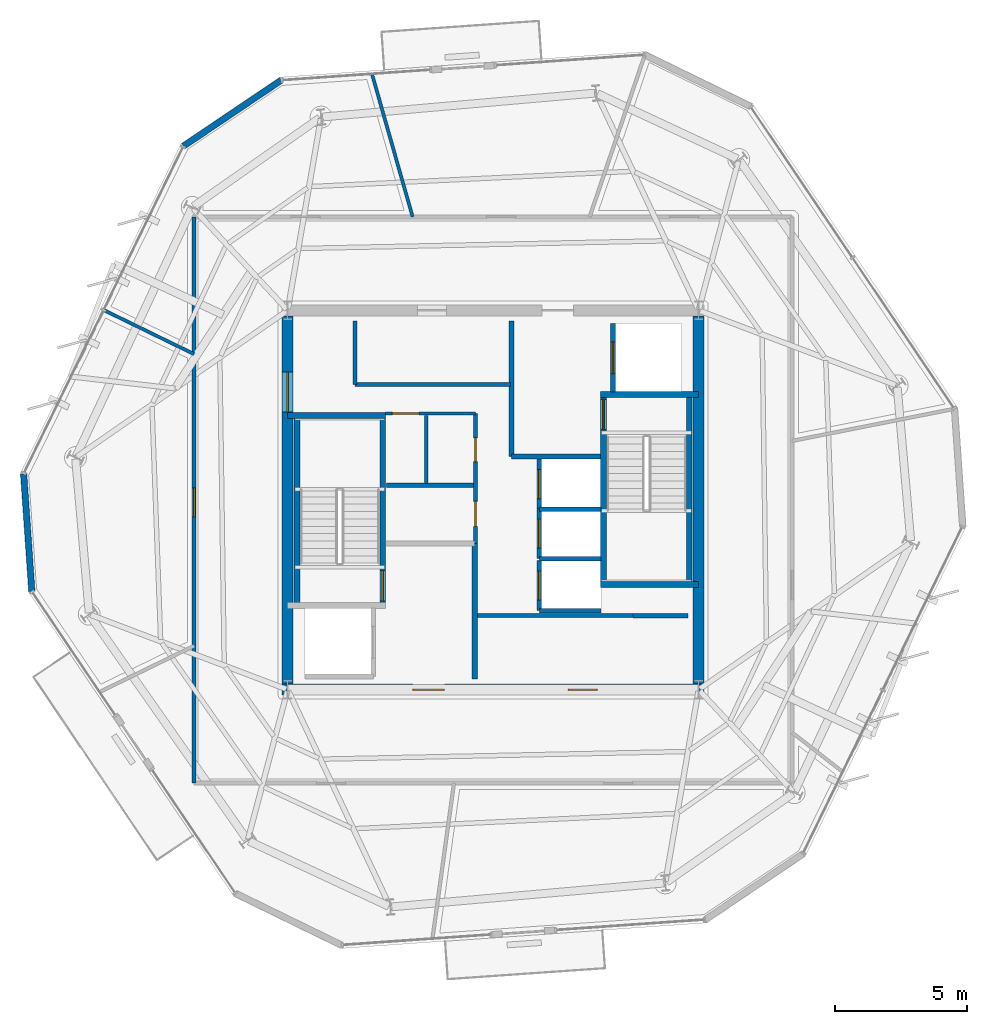
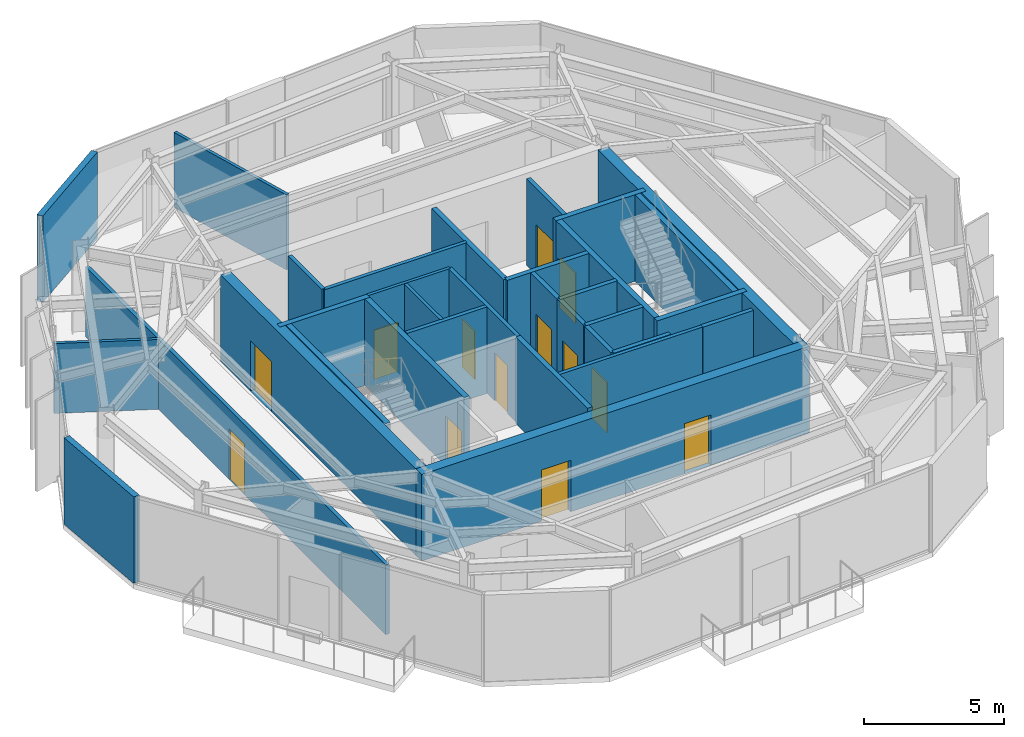
# One storey, part 7 of 13: 33 walls, 13 doors, 13 openings.
"""IFC4 building model written with IfcOpenShell, lengths in metres."""

from ifc_helpers import new_model, si_unit, direction, frame, frame_2d, origin, place, context, subcontext, project, spatial, rectangle, extrude, material, layer, layer_set, type_object, element, fill, save


model = new_model("IFC4")

# Units and contexts
model_context = context("Model", 3, precision=1e-05, world=origin(), true_north=direction((0.0, 1.0)))
body_context = subcontext(model_context, "Body", "Model", "MODEL_VIEW")
ifc_project = project(units=[si_unit("LENGTHUNIT", "METRE"), si_unit("AREAUNIT", "SQUARE_METRE"), si_unit("VOLUMEUNIT", "CUBIC_METRE"), si_unit("PLANEANGLEUNIT", "RADIAN"), si_unit("MASSUNIT", "GRAM", prefix="KILO")], contexts=[model_context])

# Site, building, storey
site_placement = place(None, origin())
site = spatial("IfcSite", under=ifc_project, at=site_placement, CompositionType="ELEMENT")
building_placement = place(site_placement, origin())
building = spatial("IfcBuilding", under=site, at=building_placement, Name="Kranzbogen Civic Tower", CompositionType="ELEMENT")
storey_placement = place(building_placement, frame((0.0, 0.0, 282.199951171875)))
storey = spatial("IfcBuildingStorey", under=building, at=storey_placement, Name="L68", CompositionType="ELEMENT", Elevation=282.199951171875)

# Walls
ifc_material_1 = material(Name="Double-Stud Acoustic Gypsum Partition")
ifc_layer_1 = layer(ifc_material_1, 0.14990234375, Name="Double-Stud Acoustic Gypsum Partition")
ifc_layer_set_1 = layer_set([ifc_layer_1], Name="Double-Stud Acoustic Gypsum Partition")
wall_type_1 = type_object("IfcWallType", Name="Acoustic Corridor and Clinical Partition 150 mm", PredefinedType="PARTITIONING", material=ifc_layer_set_1)
wall_1_placement = place(storey_placement, frame((24.39990234375, 20.610107421875, 0.0), z_axis=(0.0, 0.0, 1.0), x_axis=(1.0, 0.0, 0.0)))
element("IfcWall", 1, at=wall_1_placement, inside=storey, type_object=wall_type_1, Name="L68 records zone North wall", PredefinedType="PARTITIONING", context=body_context, shape_type="SweptSolid", body=[
    extrude(rectangle(XDim=5.900146484375, YDim=0.14990234375, at=frame_2d((2.9501953125, 0.0))), origin(), (0.0, 0.0, 1.0), 3.780029296875),
])
wall_2_placement = place(storey_placement, frame((19.75, 29.389892578125, 0.0), z_axis=(0.0, 0.0, 1.0), x_axis=(1.0, 0.0, 0.0)))
element("IfcWall", 2, at=wall_2_placement, inside=storey, type_object=wall_type_1, Name="L68 digital comms South wall", PredefinedType="PARTITIONING", context=body_context, shape_type="SweptSolid", body=[
    extrude(rectangle(XDim=5.89990234375, YDim=0.14990234375, at=frame_2d((2.949951171875, 0.0))), origin(), (0.0, 0.0, 1.0), 3.780029296875),
])
wall_3_placement = place(storey_placement, frame((19.75, 29.389892578125, 0.0), z_axis=(0.0, 0.0, 1.0), x_axis=(0.0, 1.0, 0.0)))
element("IfcWall", 3, at=wall_3_placement, inside=storey, type_object=wall_type_1, Name="L68 digital comms West wall", PredefinedType="PARTITIONING", context=body_context, shape_type="SweptSolid", body=[
    extrude(rectangle(XDim=2.41015625, YDim=0.14990234375, at=frame_2d((1.205078125, 0.0))), origin(), (0.0, 0.0, 1.0), 3.780029296875),
])

# Wall, opening, door
wall_4_placement = place(storey_placement, frame((13.64990234375, 14.25, 0.0), z_axis=(0.0, 0.0, 1.0), x_axis=(0.0, 1.0, 0.0)))
wall_4 = element("IfcWall", 4, at=wall_4_placement, inside=storey, type_object=wall_type_1, Name="L68 corridor partition 04", PredefinedType="PARTITIONING", context=body_context, shape_type="SweptSolid", body=[
    extrude(rectangle(XDim=21.5, YDim=0.14990234375, at=frame_2d((10.75, 0.0))), origin(), (0.0, 0.0, 1.0), 3.050048828125),
])
opening_1_placement = place(wall_4_placement, frame((10.111083984375, 0.0, 0.0)))
opening_1 = element("IfcOpeningElement", 5, at=opening_1_placement, cuts=wall_4, Name="Opening D-COR60", PredefinedType="OPENING", context=body_context, shape_type="SweptSolid", body=[
    extrude(rectangle(XDim=1.10009765625, YDim=2.199951171875, at=frame_2d((0.550048828125, 1.10009765625))), frame((0.0, 0.0849609375, 0.0), z_axis=(0.0, -1.0, 0.0), x_axis=(1.0, 0.0, 0.0)), (0.0, 0.0, 1.0), 0.169921875),
])
ifc_material_2 = material(Name="Oak Timber and Fire Core", Category="wood")
door_type_1 = type_object("IfcDoorType", Name="Corridor Acoustic Fire Door 1100x2200", OperationType="NOTDEFINED", PredefinedType="DOOR", material=ifc_material_2)
door_1_placement = place(opening_1_placement, origin())
door_1 = element("IfcDoor", 6, at=door_1_placement, inside=storey, type_object=door_type_1, Name="L68 Citizen Services Kiosk door", OperationType="SINGLE_SWING_RIGHT", OverallHeight=2.199951171875, OverallWidth=1.10009765625, PredefinedType="DOOR", context=body_context, shape_type="SweptSolid", body=[
    extrude(rectangle(XDim=1.10009765625, YDim=2.199951171875, at=frame_2d((0.550048828125, 1.10009765625))), frame((0.0, 0.02490234375, 0.0), z_axis=(0.0, -1.0, 0.0), x_axis=(1.0, 0.0, 0.0)), (0.0, 0.0, 1.0), 0.050048828125),
])
fill(opening_1, door_1)

ifc_material_3 = material(Name="Insulated Metal-Stud Gypsum Partition")
ifc_layer_2 = layer(ifc_material_3, 0.125, Name="Insulated Metal-Stud Gypsum Partition")
ifc_layer_set_2 = layer_set([ifc_layer_2], Name="Insulated Metal-Stud Gypsum Partition")
wall_type_2 = type_object("IfcWallType", Name="Acoustic Inter-Room Partition 125 mm", PredefinedType="PARTITIONING", material=ifc_layer_set_2)
wall_5_placement = place(storey_placement, frame((20.919921875, 28.280029296875, 0.0), z_axis=(0.0, 0.0, 1.0), x_axis=(1.0, 0.0, 0.0)))
wall_5 = element("IfcWall", 7, at=wall_5_placement, inside=storey, type_object=wall_type_2, Name="L68 core auxiliary North wall", PredefinedType="PARTITIONING", context=body_context, shape_type="SweptSolid", body=[
    extrude(rectangle(XDim=3.405029296875, YDim=0.125, at=frame_2d((1.70263671875, 0.0))), origin(), (0.0, 0.0, 1.0), 3.780029296875),
])
opening_2_placement = place(wall_5_placement, frame((0.2548828125, 0.0, 0.0)))
opening_2 = element("IfcOpeningElement", 8, at=opening_2_placement, cuts=wall_5, Name="Opening D-RSR10", PredefinedType="OPENING", context=body_context, shape_type="SweptSolid", body=[
    extrude(rectangle(XDim=1.0, YDim=2.14990234375, at=frame_2d((0.5, 1.074951171875))), frame((0.0, 0.072509765625, 0.0), z_axis=(0.0, -1.0, 0.0), x_axis=(1.0, 0.0, 0.0)), (0.0, 0.0, 1.0), 0.14501953125),
])
door_type_2 = type_object("IfcDoorType", Name="Core Archive and Riser Fire Door 1000x2150", OperationType="NOTDEFINED", PredefinedType="DOOR", material=ifc_material_2)
door_2_placement = place(opening_2_placement, origin())
door_2 = element("IfcDoor", 9, at=door_2_placement, inside=storey, type_object=door_type_2, Name="L68 Telecom and Riser Room door", OperationType="SINGLE_SWING_RIGHT", OverallHeight=2.14990234375, OverallWidth=1.0, PredefinedType="DOOR", context=body_context, shape_type="SweptSolid", body=[
    extrude(rectangle(XDim=1.0, YDim=2.14990234375, at=frame_2d((0.5, 1.074951171875))), frame((0.0, 0.02490234375, 0.0), z_axis=(0.0, -1.0, 0.0), x_axis=(1.0, 0.0, 0.0)), (0.0, 0.0, 1.0), 0.050048828125),
])
fill(opening_2, door_2)

# Walls
wall_6_placement = place(storey_placement, frame((22.4599609375, 25.6201171875, 0.0), z_axis=(0.0, 0.0, 1.0), x_axis=(0.0, 1.0, 0.0)))
element("IfcWall", 10, at=wall_6_placement, inside=storey, type_object=wall_type_2, Name="L68 core auxiliary partition 2", PredefinedType="PARTITIONING", context=body_context, shape_type="SweptSolid", body=[
    extrude(rectangle(XDim=2.579833984375, YDim=0.125, at=frame_2d((1.2900390625, 0.0))), origin(), (0.0, 0.0, 1.0), 3.780029296875),
])
wall_7_placement = place(storey_placement, frame((21.94189453125, 35.75, 0.0), z_axis=(0.0, 0.0, 1.0), x_axis=(-0.27356797667, 0.961852671744, 0.0)))
element("IfcWall", 11, at=wall_7_placement, inside=storey, type_object=wall_type_2, Name="L68 radial room partition 01", PredefinedType="PARTITIONING", context=body_context, shape_type="SweptSolid", body=[
    extrude(rectangle(XDim=5.621337890625, YDim=0.125, at=frame_2d((2.810546875, 0.0))), origin(), (0.0, 0.0, 1.0), 3.280029296875),
])
wall_8_placement = place(storey_placement, frame((13.64990234375, 30.535888671875, 0.0), z_axis=(0.0, 0.0, 1.0), x_axis=(-0.898817087616, 0.438323901938, 0.0)))
element("IfcWall", 12, at=wall_8_placement, inside=storey, type_object=wall_type_2, Name="L68 radial room partition 02", PredefinedType="PARTITIONING", context=body_context, shape_type="SweptSolid", body=[
    extrude(rectangle(XDim=3.810302734375, YDim=0.125, at=frame_2d((1.9052734375, 0.0))), origin(), (0.0, 0.0, 1.0), 3.050048828125),
])

# Wall, openings, doors
ifc_material_4 = material(Name="Concrete C45/55", Category="concrete")
ifc_layer_3 = layer(ifc_material_4, 0.419921875, Name="Concrete C45/55")
ifc_layer_set_3 = layer_set([ifc_layer_3], Name="Concrete C45/55")
wall_type_3 = type_object("IfcWallType", Name="Central Core Shear Wall 420 mm", PredefinedType="SHEAR", material=ifc_layer_set_3)
wall_9_placement = place(storey_placement, frame((16.989990234375, 17.800048828125, 0.0), z_axis=(0.0, 0.0, 1.0), x_axis=(1.0, 0.0, 0.0)))
wall_9 = element("IfcWall", 13, at=wall_9_placement, inside=storey, type_object=wall_type_3, Name="L68 central core South shear wall", PredefinedType="SHEAR", context=body_context, shape_type="SweptSolid", body=[
    extrude(rectangle(XDim=16.02001953125, YDim=0.419921875, at=frame_2d((8.010009765625, 0.0))), origin(), (0.0, 0.0, 1.0), 3.780029296875),
])
opening_3_placement = place(wall_9_placement, frame((4.9599609375, 0.0, 0.0)))
opening_3 = element("IfcOpeningElement", 14, at=opening_3_placement, cuts=wall_9, Name="Opening D-EX120", PredefinedType="OPENING", context=body_context, shape_type="SweptSolid", body=[
    extrude(rectangle(XDim=1.199951171875, YDim=2.25, at=frame_2d((0.60009765625, 1.125))), frame((0.0, 0.219970703125, 0.0), z_axis=(0.0, -1.0, 0.0), x_axis=(1.0, 0.0, 0.0)), (0.0, 0.0, 1.0), 0.43994140625),
])
opening_4_placement = place(wall_9_placement, frame((10.860107421875, 0.0, 0.0)))
opening_4 = element("IfcOpeningElement", 15, at=opening_4_placement, cuts=wall_9, Name="Opening D-COR60", PredefinedType="OPENING", context=body_context, shape_type="SweptSolid", body=[
    extrude(rectangle(XDim=1.10009765625, YDim=2.199951171875, at=frame_2d((0.550048828125, 1.10009765625))), frame((0.0, 0.219970703125, 0.0), z_axis=(0.0, -1.0, 0.0), x_axis=(1.0, 0.0, 0.0)), (0.0, 0.0, 1.0), 0.43994140625),
])
door_3_placement = place(opening_4_placement, origin())
door_3 = element("IfcDoor", 16, at=door_3_placement, inside=storey, type_object=door_type_1, Name="L68 REC1 archive room door", OperationType="SINGLE_SWING_RIGHT", OverallHeight=2.199951171875, OverallWidth=1.10009765625, PredefinedType="DOOR", context=body_context, shape_type="SweptSolid", body=[
    extrude(rectangle(XDim=1.10009765625, YDim=2.199951171875, at=frame_2d((0.550048828125, 1.10009765625))), frame((0.0, 0.02490234375, 0.0), z_axis=(0.0, -1.0, 0.0), x_axis=(1.0, 0.0, 0.0)), (0.0, 0.0, 1.0), 0.050048828125),
])
fill(opening_4, door_3)
ifc_material_5 = material(Name="Steel S355", Category="steel")
door_type_3 = type_object("IfcDoorType", Name="Exit Passageway Fire Door 1200x2250", OperationType="NOTDEFINED", PredefinedType="DOOR", material=ifc_material_5)
door_4_placement = place(opening_3_placement, origin())
door_4 = element("IfcDoor", 17, at=door_4_placement, inside=storey, type_object=door_type_3, Name="L68 West firefighting lobby corridor door", OperationType="SINGLE_SWING_LEFT", OverallHeight=2.25, OverallWidth=1.199951171875, PredefinedType="DOOR", context=body_context, shape_type="SweptSolid", body=[
    extrude(rectangle(XDim=1.199951171875, YDim=2.25, at=frame_2d((0.60009765625, 1.125))), frame((0.0, 0.02490234375, 0.0), z_axis=(0.0, -1.0, 0.0), x_axis=(1.0, 0.0, 0.0)), (0.0, 0.0, 1.0), 0.050048828125),
])
fill(opening_3, door_4)

# Wall, opening, door
wall_10_placement = place(storey_placement, frame((17.199951171875, 31.989990234375, 0.0), z_axis=(0.0, 0.0, 1.0), x_axis=(0.0, -1.0, 0.0)))
wall_10 = element("IfcWall", 18, at=wall_10_placement, inside=storey, type_object=wall_type_3, Name="L68 central core West shear wall", PredefinedType="SHEAR", context=body_context, shape_type="SweptSolid", body=[
    extrude(rectangle(XDim=13.97998046875, YDim=0.419921875, at=frame_2d((6.989990234375, 0.0))), origin(), (0.0, 0.0, 1.0), 3.780029296875),
])
opening_5_placement = place(wall_10_placement, frame((2.139892578125, 0.0, 0.0)))
opening_5 = element("IfcOpeningElement", 19, at=opening_5_placement, cuts=wall_10, Name="Opening D-DBL15", PredefinedType="OPENING", context=body_context, shape_type="SweptSolid", body=[
    extrude(rectangle(XDim=1.5, YDim=2.199951171875, at=frame_2d((0.75, 1.10009765625))), frame((0.0, 0.219970703125, 0.0), z_axis=(0.0, -1.0, 0.0), x_axis=(1.0, 0.0, 0.0)), (0.0, 0.0, 1.0), 0.43994140625),
])
ifc_material_6 = material(Name="Anodised Bronze and Glass", Category="glass")
door_type_4 = type_object("IfcDoorType", Name="Civic Lobby Double Door 1500x2200", OperationType="DOUBLE_DOOR_SINGLE_SWING", PredefinedType="DOOR", material=ifc_material_6)
door_5_placement = place(opening_5_placement, origin())
door_5 = element("IfcDoor", 20, at=door_5_placement, inside=storey, type_object=door_type_4, Name="L68 Central Lift Lobby West concourse door", OperationType="DOUBLE_DOOR_SINGLE_SWING", OverallHeight=2.199951171875, OverallWidth=1.5, PredefinedType="DOOR", context=body_context, shape_type="SweptSolid", body=[
    extrude(rectangle(XDim=1.5, YDim=2.199951171875, at=frame_2d((0.75, 1.10009765625))), frame((0.0, 0.02490234375, 0.0), z_axis=(0.0, -1.0, 0.0), x_axis=(1.0, 0.0, 0.0)), (0.0, 0.0, 1.0), 0.050048828125),
])
fill(opening_5, door_5)

# Wall
wall_11_placement = place(storey_placement, frame((32.800048828125, 18.010009765625, 0.0), z_axis=(0.0, 0.0, 1.0), x_axis=(0.0, 1.0, 0.0)))
element("IfcWall", 21, at=wall_11_placement, inside=storey, type_object=wall_type_3, Name="L68 central core East shear wall", PredefinedType="SHEAR", context=body_context, shape_type="SweptSolid", body=[
    extrude(rectangle(XDim=13.97998046875, YDim=0.419921875, at=frame_2d((6.989990234375, 0.0))), origin(), (0.0, 0.0, 1.0), 3.780029296875),
])

# Wall, opening, door
ifc_layer_4 = layer(ifc_material_4, 0.219970703125, Name="Concrete C45/55")
ifc_layer_set_4 = layer_set([ifc_layer_4], Name="Concrete C45/55")
wall_type_4 = type_object("IfcWallType", Name="Core Internal Stair Structural Wall 220 mm", PredefinedType="SOLIDWALL", material=ifc_layer_set_4)
wall_12_placement = place(storey_placement, frame((20.81005859375, 20.989990234375, 0.0), z_axis=(0.0, 0.0, 1.0), x_axis=(0.0, 1.0, 0.0)))
wall_12 = element("IfcWall", 22, at=wall_12_placement, inside=storey, type_object=wall_type_4, Name="L68 ST-T1 East structural stair wall", PredefinedType="SOLIDWALL", context=body_context, shape_type="SweptSolid", body=[
    extrude(rectangle(XDim=7.219970703125, YDim=0.219970703125, at=frame_2d((3.60986328125, 0.0))), origin(), (0.0, 0.0, 1.0), 3.780029296875),
])
opening_6_placement = place(wall_12_placement, frame((0.179931640625, 0.0, 0.0)))
opening_6 = element("IfcOpeningElement", 23, at=opening_6_placement, cuts=wall_12, Name="Opening D-ST90", PredefinedType="OPENING", context=body_context, shape_type="SweptSolid", body=[
    extrude(rectangle(XDim=1.14990234375, YDim=2.199951171875, at=frame_2d((0.574951171875, 1.10009765625))), frame((0.0, 0.1201171875, 0.0), z_axis=(0.0, -1.0, 0.0), x_axis=(1.0, 0.0, 0.0)), (0.0, 0.0, 1.0), 0.239990234375),
])
door_type_5 = type_object("IfcDoorType", Name="Pressurized Stair and Lobby Fire Door 1150x2200", OperationType="NOTDEFINED", PredefinedType="DOOR", material=ifc_material_5)
door_6_placement = place(opening_6_placement, origin())
door_6 = element("IfcDoor", 24, at=door_6_placement, inside=storey, type_object=door_type_5, Name="L68 Stair ST-T1 fire door", OperationType="SINGLE_SWING_LEFT", OverallHeight=2.199951171875, OverallWidth=1.14990234375, PredefinedType="DOOR", context=body_context, shape_type="SweptSolid", body=[
    extrude(rectangle(XDim=1.14990234375, YDim=2.199951171875, at=frame_2d((0.574951171875, 1.10009765625))), frame((0.0, 0.02490234375, 0.0), z_axis=(0.0, -1.0, 0.0), x_axis=(1.0, 0.0, 0.0)), (0.0, 0.0, 1.0), 0.050048828125),
])
fill(opening_6, door_6)

# Walls
wall_13_placement = place(storey_placement, frame((17.199951171875, 28.2099609375, 0.0), z_axis=(0.0, 0.0, 1.0), x_axis=(1.0, 0.0, 0.0)))
element("IfcWall", 25, at=wall_13_placement, inside=storey, type_object=wall_type_4, Name="L68 ST-T1 North structural stair wall", PredefinedType="SOLIDWALL", context=body_context, shape_type="SweptSolid", body=[
    extrude(rectangle(XDim=3.719970703125, YDim=0.219970703125, at=frame_2d((1.85986328125, 0.0))), origin(), (0.0, 0.0, 1.0), 3.780029296875),
])
wall_14_placement = place(storey_placement, frame((17.554931640625, 28.2099609375, 0.0), z_axis=(0.0, 0.0, 1.0), x_axis=(0.0, -1.0, 0.0)))
element("IfcWall", 26, at=wall_14_placement, inside=storey, type_object=wall_type_4, Name="L68 ST-T1 West structural stair wall", PredefinedType="SOLIDWALL", context=body_context, shape_type="SweptSolid", body=[
    extrude(rectangle(XDim=7.219970703125, YDim=0.219970703125, at=frame_2d((3.60986328125, 0.0))), origin(), (0.0, 0.0, 1.0), 3.780029296875),
])

# Wall, opening, door
wall_15_placement = place(storey_placement, frame((29.18994140625, 21.7900390625, 0.0), z_axis=(0.0, 0.0, 1.0), x_axis=(0.0, 1.0, 0.0)))
wall_15 = element("IfcWall", 27, at=wall_15_placement, inside=storey, type_object=wall_type_4, Name="L68 ST-T2 West structural stair wall", PredefinedType="SOLIDWALL", context=body_context, shape_type="SweptSolid", body=[
    extrude(rectangle(XDim=7.219970703125, YDim=0.219970703125, at=frame_2d((3.60986328125, 0.0))), origin(), (0.0, 0.0, 1.0), 3.780029296875),
])
opening_7_placement = place(wall_15_placement, frame((5.8798828125, 0.0, 0.0)))
opening_7 = element("IfcOpeningElement", 28, at=opening_7_placement, cuts=wall_15, Name="Opening D-ST90", PredefinedType="OPENING", context=body_context, shape_type="SweptSolid", body=[
    extrude(rectangle(XDim=1.14990234375, YDim=2.199951171875, at=frame_2d((0.574951171875, 1.10009765625))), frame((0.0, 0.1201171875, 0.0), z_axis=(0.0, -1.0, 0.0), x_axis=(1.0, 0.0, 0.0)), (0.0, 0.0, 1.0), 0.239990234375),
])
door_7_placement = place(opening_7_placement, origin())
door_7 = element("IfcDoor", 29, at=door_7_placement, inside=storey, type_object=door_type_5, Name="L68 Stair ST-T2 fire door", OperationType="SINGLE_SWING_RIGHT", OverallHeight=2.199951171875, OverallWidth=1.14990234375, PredefinedType="DOOR", context=body_context, shape_type="SweptSolid", body=[
    extrude(rectangle(XDim=1.14990234375, YDim=2.199951171875, at=frame_2d((0.574951171875, 1.10009765625))), frame((0.0, 0.02490234375, 0.0), z_axis=(0.0, -1.0, 0.0), x_axis=(1.0, 0.0, 0.0)), (0.0, 0.0, 1.0), 0.050048828125),
])
fill(opening_7, door_7)

# Walls
for number, where, z_axis, x_axis, name in (
    (30, (29.080078125, 21.7900390625, 0.0), (0.0, 0.0, 1.0), (1.0, 0.0, 0.0), "L68 ST-T2 South structural stair wall"),
    (31, (29.080078125, 29.010009765625, 0.0), (0.0, 0.0, 1.0), (1.0, 0.0, 0.0), "L68 ST-T2 North structural stair wall"),
):
    element("IfcWall", number, at=place(storey_placement, frame(where, z_axis=z_axis, x_axis=x_axis)), inside=storey, type_object=wall_type_4, Name=name, PredefinedType="SOLIDWALL", context=body_context, shape_type="SweptSolid", body=[
        extrude(rectangle(XDim=3.719970703125, YDim=0.219970703125, at=frame_2d((1.85986328125, 0.0))), origin(), (0.0, 0.0, 1.0), 3.780029296875),
    ])
wall_16_placement = place(storey_placement, frame((32.445068359375, 29.010009765625, 0.0), z_axis=(0.0, 0.0, 1.0), x_axis=(0.0, -1.0, 0.0)))
element("IfcWall", 32, at=wall_16_placement, inside=storey, type_object=wall_type_4, Name="L68 ST-T2 East structural stair wall", PredefinedType="SOLIDWALL", context=body_context, shape_type="SweptSolid", body=[
    extrude(rectangle(XDim=7.219970703125, YDim=0.219970703125, at=frame_2d((3.60986328125, 0.0))), origin(), (0.0, 0.0, 1.0), 3.780029296875),
])
ifc_material_7 = material(Name="Gypsum Fireboard and Concrete Block", Category="concrete")
ifc_layer_5 = layer(ifc_material_7, 0.199951171875, Name="Gypsum Fireboard and Concrete Block")
ifc_layer_set_5 = layer_set([ifc_layer_5], Name="Gypsum Fireboard and Concrete Block")
wall_type_5 = type_object("IfcWallType", Name="Fire-Rated Exit Passageway and Stair Wall 200 mm", PredefinedType="PARTITIONING", material=ifc_layer_set_5)
for number, where, z_axis, x_axis, name in (
    (33, (24.300048828125, 18.199951171875, 0.0), (0.0, 0.0, 1.0), (0.0, 1.0, 0.0), "L68 West firefighting lobby East wall"),
    (34, (25.699951171875, 26.64990234375, 0.0), (0.0, 0.0, 1.0), (0.0, 1.0, 0.0), "L68 East firefighting lobby West wall"),
):
    element("IfcWall", number, at=place(storey_placement, frame(where, z_axis=z_axis, x_axis=x_axis)), inside=storey, type_object=wall_type_5, Name=name, PredefinedType="PARTITIONING", context=body_context, shape_type="SweptSolid", body=[
        extrude(rectangle(XDim=5.150146484375, YDim=0.199951171875, at=frame_2d((2.5751953125, 0.0))), origin(), (0.0, 0.0, 1.0), 3.780029296875),
    ])
wall_17_placement = place(storey_placement, frame((25.699951171875, 26.64990234375, 0.0), z_axis=(0.0, 0.0, 1.0), x_axis=(1.0, 0.0, 0.0)))
element("IfcWall", 35, at=wall_17_placement, inside=storey, type_object=wall_type_5, Name="L68 East firefighting lobby South wall", PredefinedType="PARTITIONING", context=body_context, shape_type="SweptSolid", body=[
    extrude(rectangle(XDim=3.380126953125, YDim=0.199951171875, at=frame_2d((1.68994140625, 0.0))), origin(), (0.0, 0.0, 1.0), 3.780029296875),
])
ifc_material_8 = material(Name="Gypsum Fireboard Shaftliner")
ifc_layer_6 = layer(ifc_material_8, 0.175048828125, Name="Gypsum Fireboard Shaftliner")
ifc_layer_set_6 = layer_set([ifc_layer_6], Name="Gypsum Fireboard Shaftliner")
wall_type_6 = type_object("IfcWallType", Name="Fire-Rated Lift and Service Shaft Wall 175 mm", PredefinedType="PARTITIONING", material=ifc_layer_set_6)
wall_18_placement = place(storey_placement, frame((30.300048828125, 20.610107421875, 0.0), z_axis=(0.0, 0.0, 1.0), x_axis=(1.0, 0.0, 0.0)))
element("IfcWall", 36, at=wall_18_placement, inside=storey, type_object=wall_type_6, Name="L68 merged archive North wall", PredefinedType="PARTITIONING", context=body_context, shape_type="SweptSolid", body=[
    extrude(rectangle(XDim=2.099853515625, YDim=0.175048828125, at=frame_2d((1.0498046875, 0.0))), origin(), (0.0, 0.0, 1.0), 3.780029296875),
])

# Wall, opening, door
wall_19_placement = place(storey_placement, frame((26.75, 20.800048828125, 0.0), z_axis=(0.0, 0.0, 1.0), x_axis=(0.0, 1.0, 0.0)))
wall_19 = element("IfcWall", 37, at=wall_19_placement, inside=storey, type_object=wall_type_6, Name="L68 lift HP-01 landing wall", PredefinedType="PARTITIONING", context=body_context, shape_type="SweptSolid", body=[
    extrude(rectangle(XDim=1.89990234375, YDim=0.175048828125, at=frame_2d((0.949951171875, 0.0))), origin(), (0.0, 0.0, 1.0), 3.780029296875),
])
opening_8_placement = place(wall_19_placement, frame((0.39990234375, 0.0, 0.0)))
opening_8 = element("IfcOpeningElement", 38, at=opening_8_placement, cuts=wall_19, Name="Opening LD-HP-01", PredefinedType="OPENING", context=body_context, shape_type="SweptSolid", body=[
    extrude(rectangle(XDim=1.10009765625, YDim=2.199951171875, at=frame_2d((0.550048828125, 1.10009765625))), frame((0.0, 0.09765625, 0.0), z_axis=(0.0, -1.0, 0.0), x_axis=(1.0, 0.0, 0.0)), (0.0, 0.0, 1.0), 0.195068359375),
])
ifc_material_9 = material(Name="Pale Anodised Aluminium", Category="aluminium")
door_type_6 = type_object("IfcDoorType", Name="Passenger Lift Sliding Landing Door 1100x2200", OperationType="DOUBLE_DOOR_SLIDING", PredefinedType="DOOR", material=ifc_material_9)
door_8_placement = place(opening_8_placement, origin())
door_8 = element("IfcDoor", 39, at=door_8_placement, inside=storey, type_object=door_type_6, Name="L68 lift HP-01 sliding landing door", OperationType="DOUBLE_DOOR_SLIDING", OverallHeight=2.199951171875, OverallWidth=1.10009765625, PredefinedType="DOOR", context=body_context, shape_type="SweptSolid", body=[
    extrude(rectangle(XDim=1.10009765625, YDim=2.199951171875, at=frame_2d((0.550048828125, 1.10009765625))), frame((0.0, 0.02490234375, 0.0), z_axis=(0.0, -1.0, 0.0), x_axis=(1.0, 0.0, 0.0)), (0.0, 0.0, 1.0), 0.050048828125),
])
fill(opening_8, door_8)

# Wall
wall_20_placement = place(storey_placement, frame((26.75, 20.800048828125, 0.0), z_axis=(0.0, 0.0, 1.0), x_axis=(1.0, 0.0, 0.0)))
element("IfcWall", 40, at=wall_20_placement, inside=storey, type_object=wall_type_6, Name="L68 lift HP-01 side wall", PredefinedType="PARTITIONING", context=body_context, shape_type="SweptSolid", body=[
    extrude(rectangle(XDim=2.35009765625, YDim=0.175048828125, at=frame_2d((1.175048828125, 0.0))), origin(), (0.0, 0.0, 1.0), 3.780029296875),
])

# Wall, opening, door
wall_21_placement = place(storey_placement, frame((26.75, 22.77490234375, 0.0), z_axis=(0.0, 0.0, 1.0), x_axis=(0.0, 1.0, 0.0)))
wall_21 = element("IfcWall", 41, at=wall_21_placement, inside=storey, type_object=wall_type_6, Name="L68 lift HP-02 landing wall", PredefinedType="PARTITIONING", context=body_context, shape_type="SweptSolid", body=[
    extrude(rectangle(XDim=1.900146484375, YDim=0.175048828125, at=frame_2d((0.9501953125, 0.0))), origin(), (0.0, 0.0, 1.0), 3.780029296875),
])
opening_9_placement = place(wall_21_placement, frame((0.39990234375, 0.0, 0.0)))
opening_9 = element("IfcOpeningElement", 42, at=opening_9_placement, cuts=wall_21, Name="Opening LD-HP-02", PredefinedType="OPENING", context=body_context, shape_type="SweptSolid", body=[
    extrude(rectangle(XDim=1.10009765625, YDim=2.199951171875, at=frame_2d((0.550048828125, 1.10009765625))), frame((0.0, 0.09765625, 0.0), z_axis=(0.0, -1.0, 0.0), x_axis=(1.0, 0.0, 0.0)), (0.0, 0.0, 1.0), 0.195068359375),
])
door_9_placement = place(opening_9_placement, origin())
door_9 = element("IfcDoor", 43, at=door_9_placement, inside=storey, type_object=door_type_6, Name="L68 lift HP-02 sliding landing door", OperationType="DOUBLE_DOOR_SLIDING", OverallHeight=2.199951171875, OverallWidth=1.10009765625, PredefinedType="DOOR", context=body_context, shape_type="SweptSolid", body=[
    extrude(rectangle(XDim=1.10009765625, YDim=2.199951171875, at=frame_2d((0.550048828125, 1.10009765625))), frame((0.0, 0.02490234375, 0.0), z_axis=(0.0, -1.0, 0.0), x_axis=(1.0, 0.0, 0.0)), (0.0, 0.0, 1.0), 0.050048828125),
])
fill(opening_9, door_9)

# Wall
wall_22_placement = place(storey_placement, frame((26.75, 22.77490234375, 0.0), z_axis=(0.0, 0.0, 1.0), x_axis=(1.0, 0.0, 0.0)))
element("IfcWall", 44, at=wall_22_placement, inside=storey, type_object=wall_type_6, Name="L68 lift HP-02 side wall", PredefinedType="PARTITIONING", context=body_context, shape_type="SweptSolid", body=[
    extrude(rectangle(XDim=2.35009765625, YDim=0.175048828125, at=frame_2d((1.175048828125, 0.0))), origin(), (0.0, 0.0, 1.0), 3.780029296875),
])

# Wall, opening, door
wall_23_placement = place(storey_placement, frame((26.75, 24.64990234375, 0.0), z_axis=(0.0, 0.0, 1.0), x_axis=(0.0, 1.0, 0.0)))
wall_23 = element("IfcWall", 45, at=wall_23_placement, inside=storey, type_object=wall_type_6, Name="L68 lift HP-03 landing wall", PredefinedType="PARTITIONING", context=body_context, shape_type="SweptSolid", body=[
    extrude(rectangle(XDim=1.900146484375, YDim=0.175048828125, at=frame_2d((0.9501953125, 0.0))), origin(), (0.0, 0.0, 1.0), 3.780029296875),
])
opening_10_placement = place(wall_23_placement, frame((0.39990234375, 0.0, 0.0)))
opening_10 = element("IfcOpeningElement", 46, at=opening_10_placement, cuts=wall_23, Name="Opening LD-HP-03", PredefinedType="OPENING", context=body_context, shape_type="SweptSolid", body=[
    extrude(rectangle(XDim=1.10009765625, YDim=2.199951171875, at=frame_2d((0.550048828125, 1.10009765625))), frame((0.0, 0.09765625, 0.0), z_axis=(0.0, -1.0, 0.0), x_axis=(1.0, 0.0, 0.0)), (0.0, 0.0, 1.0), 0.195068359375),
])
door_10_placement = place(opening_10_placement, origin())
door_10 = element("IfcDoor", 47, at=door_10_placement, inside=storey, type_object=door_type_6, Name="L68 lift HP-03 sliding landing door", OperationType="DOUBLE_DOOR_SLIDING", OverallHeight=2.199951171875, OverallWidth=1.10009765625, PredefinedType="DOOR", context=body_context, shape_type="SweptSolid", body=[
    extrude(rectangle(XDim=1.10009765625, YDim=2.199951171875, at=frame_2d((0.550048828125, 1.10009765625))), frame((0.0, 0.02490234375, 0.0), z_axis=(0.0, -1.0, 0.0), x_axis=(1.0, 0.0, 0.0)), (0.0, 0.0, 1.0), 0.050048828125),
])
fill(opening_10, door_10)

# Wall
wall_24_placement = place(storey_placement, frame((26.75, 24.64990234375, 0.0), z_axis=(0.0, 0.0, 1.0), x_axis=(1.0, 0.0, 0.0)))
element("IfcWall", 48, at=wall_24_placement, inside=storey, type_object=wall_type_6, Name="L68 lift HP-03 side wall", PredefinedType="PARTITIONING", context=body_context, shape_type="SweptSolid", body=[
    extrude(rectangle(XDim=2.35009765625, YDim=0.175048828125, at=frame_2d((1.175048828125, 0.0))), origin(), (0.0, 0.0, 1.0), 3.780029296875),
])

# Wall, opening, door
wall_25_placement = place(storey_placement, frame((29.550048828125, 29.10009765625, 0.0), z_axis=(0.0, 0.0, 1.0), x_axis=(0.0, 1.0, 0.0)))
wall_25 = element("IfcWall", 49, at=wall_25_placement, inside=storey, type_object=wall_type_6, Name="L68 lift FF-02 landing wall", PredefinedType="PARTITIONING", context=body_context, shape_type="SweptSolid", body=[
    extrude(rectangle(XDim=2.599853515625, YDim=0.175048828125, at=frame_2d((1.2998046875, 0.0))), origin(), (0.0, 0.0, 1.0), 3.780029296875),
])
opening_11_placement = place(wall_25_placement, frame((0.699951171875, 0.0, 0.0)))
opening_11 = element("IfcOpeningElement", 50, at=opening_11_placement, cuts=wall_25, Name="Opening LD-FF-02", PredefinedType="OPENING", context=body_context, shape_type="SweptSolid", body=[
    extrude(rectangle(XDim=1.199951171875, YDim=2.199951171875, at=frame_2d((0.60009765625, 1.10009765625))), frame((0.0, 0.09765625, 0.0), z_axis=(0.0, -1.0, 0.0), x_axis=(1.0, 0.0, 0.0)), (0.0, 0.0, 1.0), 0.195068359375),
])
door_type_7 = type_object("IfcDoorType", Name="Firefighting and Stretcher Lift Sliding Landing Door 1200x2200", OperationType="DOUBLE_DOOR_SLIDING", PredefinedType="DOOR", material=ifc_material_9)
door_11_placement = place(opening_11_placement, origin())
door_11 = element("IfcDoor", 51, at=door_11_placement, inside=storey, type_object=door_type_7, Name="L68 lift FF-02 sliding landing door", OperationType="DOUBLE_DOOR_SLIDING", OverallHeight=2.199951171875, OverallWidth=1.199951171875, PredefinedType="DOOR", context=body_context, shape_type="SweptSolid", body=[
    extrude(rectangle(XDim=1.199951171875, YDim=2.199951171875, at=frame_2d((0.60009765625, 1.10009765625))), frame((0.0, 0.02490234375, 0.0), z_axis=(0.0, -1.0, 0.0), x_axis=(1.0, 0.0, 0.0)), (0.0, 0.0, 1.0), 0.050048828125),
])
fill(opening_11, door_11)

# Walls
ifc_layer_7 = layer(ifc_material_9, 0.239990234375, Name="Pale Anodised Aluminium")
ifc_layer_set_7 = layer_set([ifc_layer_7], Name="Pale Anodised Aluminium")
wall_type_7 = type_object("IfcWallType", Name="Insulated Aluminium Facade Portal Wall 240 mm", PredefinedType="STANDARD", material=ifc_layer_set_7)
for number, where, z_axis, x_axis, name in (
    (52, (16.947021484375, 40.930908203125, 0.0), (0.0, 0.0, 1.0), (-0.829153473241, -0.559021035214, 0.0), "L68 chamfered corner facade spandrel 1"),
    (53, (7.177001953125, 25.990966796875, 0.0), (0.0, 0.0, 1.0), (0.069447662525, -0.997585596413, 0.0), "L68 chamfered corner facade spandrel 2"),
):
    element("IfcWall", number, at=place(storey_placement, frame(where, z_axis=z_axis, x_axis=x_axis)), inside=storey, type_object=wall_type_7, Name=name, PredefinedType="STANDARD", context=body_context, shape_type="SweptSolid", body=[
        extrude(rectangle(XDim=4.464599609375, YDim=0.239990234375, at=frame_2d((2.232421875, 0.0))), origin(), (0.0, 0.0, 1.0), 3.780029296875),
    ])

# Wall, openings, doors
ifc_material_10 = material(Name="Moisture-Resistant Gypsum Assembly")
ifc_layer_8 = layer(ifc_material_10, 0.159912109375, Name="Moisture-Resistant Gypsum Assembly")
ifc_layer_set_8 = layer_set([ifc_layer_8], Name="Moisture-Resistant Gypsum Assembly")
wall_type_8 = type_object("IfcWallType", Name="Sanitary and Plumbing Wet Wall 160 mm", PredefinedType="PLUMBINGWALL", material=ifc_layer_set_8)
wall_26_placement = place(storey_placement, frame((24.324951171875, 23.35009765625, 0.0), z_axis=(0.0, 0.0, 1.0), x_axis=(0.0, 1.0, 0.0)))
wall_26 = element("IfcWall", 54, at=wall_26_placement, inside=storey, type_object=wall_type_8, Name="L68 core auxiliary East wall", PredefinedType="PLUMBINGWALL", context=body_context, shape_type="SweptSolid", body=[
    extrude(rectangle(XDim=4.929931640625, YDim=0.159912109375, at=frame_2d((2.46484375, 0.0))), origin(), (0.0, 0.0, 1.0), 3.780029296875),
])
opening_12_placement = place(wall_26_placement, frame((0.64990234375, 0.0, 0.0)))
opening_12 = element("IfcOpeningElement", 55, at=opening_12_placement, cuts=wall_26, Name="Opening D-AWC95", PredefinedType="OPENING", context=body_context, shape_type="SweptSolid", body=[
    extrude(rectangle(XDim=0.949951171875, YDim=2.10009765625, at=frame_2d((0.47509765625, 1.050048828125))), frame((0.0, 0.08984375, 0.0), z_axis=(0.0, -1.0, 0.0), x_axis=(1.0, 0.0, 0.0)), (0.0, 0.0, 1.0), 0.179931640625),
])
opening_13_placement = place(wall_26_placement, frame((3.110107421875, 0.0, 0.0)))
opening_13 = element("IfcOpeningElement", 56, at=opening_13_placement, cuts=wall_26, Name="Opening D-WC90", PredefinedType="OPENING", context=body_context, shape_type="SweptSolid", body=[
    extrude(rectangle(XDim=0.89990234375, YDim=2.10009765625, at=frame_2d((0.449951171875, 1.050048828125))), frame((0.0, 0.08984375, 0.0), z_axis=(0.0, -1.0, 0.0), x_axis=(1.0, 0.0, 0.0)), (0.0, 0.0, 1.0), 0.179931640625),
])
ifc_material_11 = material(Name="Moisture-Resistant Laminate")
door_type_8 = type_object("IfcDoorType", Name="Accessible Restroom Door 950x2100", OperationType="NOTDEFINED", PredefinedType="DOOR", material=ifc_material_11)
door_12_placement = place(opening_12_placement, origin())
door_12 = element("IfcDoor", 57, at=door_12_placement, inside=storey, type_object=door_type_8, Name="L68 Accessible Restroom door", OperationType="SINGLE_SWING_LEFT", OverallHeight=2.10009765625, OverallWidth=0.949951171875, PredefinedType="DOOR", context=body_context, shape_type="SweptSolid", body=[
    extrude(rectangle(XDim=0.949951171875, YDim=2.10009765625, at=frame_2d((0.47509765625, 1.050048828125))), frame((0.0, 0.02490234375, 0.0), z_axis=(0.0, -1.0, 0.0), x_axis=(1.0, 0.0, 0.0)), (0.0, 0.0, 1.0), 0.050048828125),
])
fill(opening_12, door_12)
door_type_9 = type_object("IfcDoorType", Name="Standard Restroom and Store Door 900x2100", OperationType="NOTDEFINED", PredefinedType="DOOR", material=ifc_material_11)
door_13_placement = place(opening_13_placement, origin())
door_13 = element("IfcDoor", 58, at=door_13_placement, inside=storey, type_object=door_type_9, Name="L68 Staff Restroom door", OperationType="SINGLE_SWING_LEFT", OverallHeight=2.10009765625, OverallWidth=0.89990234375, PredefinedType="DOOR", context=body_context, shape_type="SweptSolid", body=[
    extrude(rectangle(XDim=0.89990234375, YDim=2.10009765625, at=frame_2d((0.449951171875, 1.050048828125))), frame((0.0, 0.02490234375, 0.0), z_axis=(0.0, -1.0, 0.0), x_axis=(1.0, 0.0, 0.0)), (0.0, 0.0, 1.0), 0.050048828125),
])
fill(opening_13, door_13)

# Wall
wall_27_placement = place(storey_placement, frame((20.949951171875, 25.56005859375, 0.0), z_axis=(0.0, 0.0, 1.0), x_axis=(1.0, 0.0, 0.0)))
element("IfcWall", 59, at=wall_27_placement, inside=storey, type_object=wall_type_8, Name="L68 core auxiliary partition 1", PredefinedType="PLUMBINGWALL", context=body_context, shape_type="SweptSolid", body=[
    extrude(rectangle(XDim=3.300048828125, YDim=0.159912109375, at=frame_2d((1.64990234375, 0.0))), origin(), (0.0, 0.0, 1.0), 3.780029296875),
])

save(model, "model.ifc")
